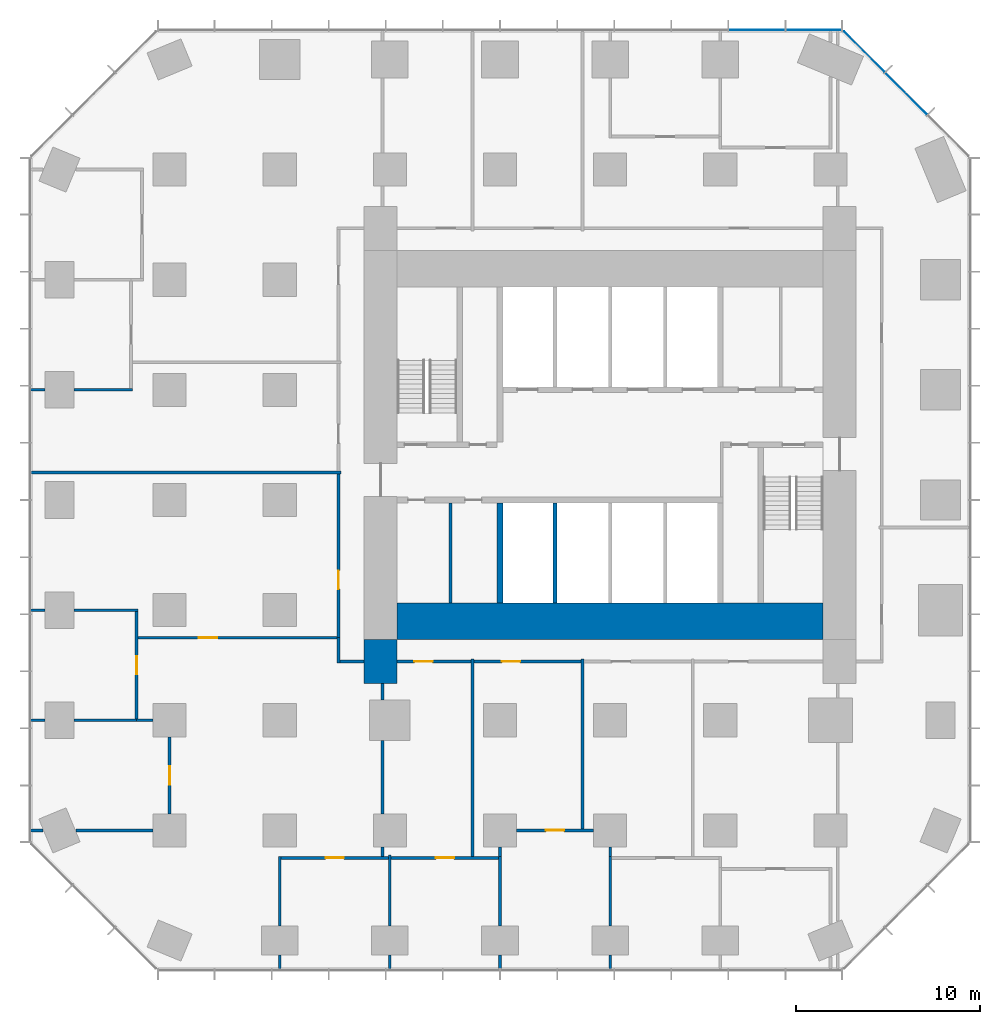
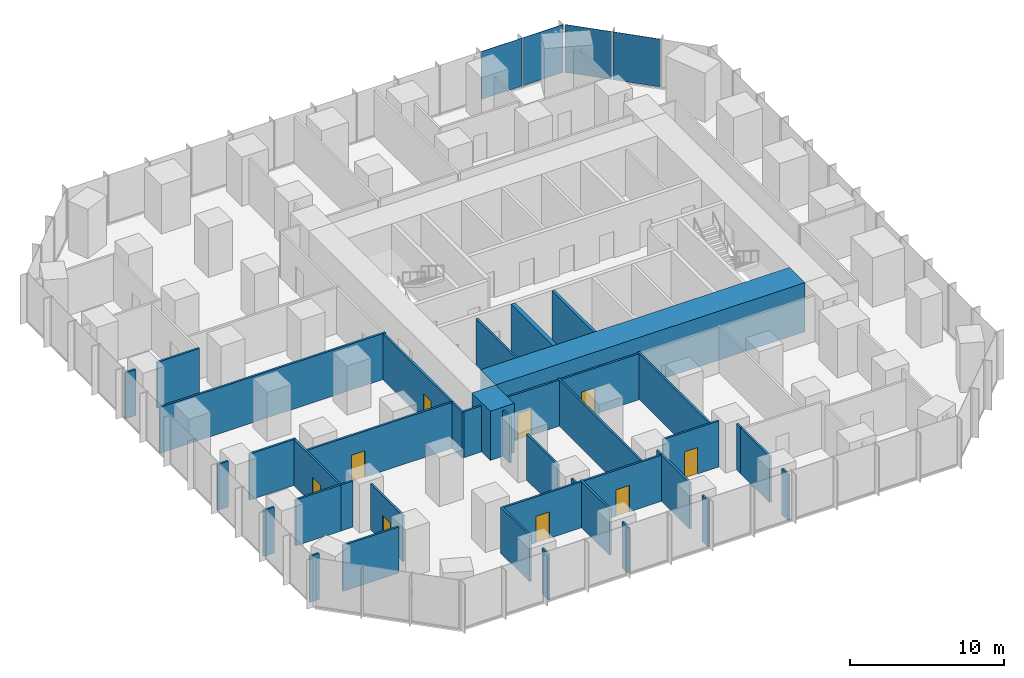
# One storey, part 8 of 12: 41 walls, 9 doors, 4 plates, 9 openings, 2 elements without a shape of their own.
"""IFC4 building model written with IfcOpenShell, lengths in metres."""

from ifc_helpers import new_model, si_unit, direction, frame, frame_2d, origin, origin_2d, place, context, subcontext, project, spatial, rectangle, extrude, material, layer, layer_set, type_object, element, fill, aggregate, save


model = new_model("IFC4")

# Units and contexts
model_context = context("Model", 3, precision=1e-05, world=origin(), true_north=direction((0.0, 1.0)))
body_context = subcontext(model_context, "Body", "Model", "MODEL_VIEW")
ifc_project = project(units=[si_unit("LENGTHUNIT", "METRE"), si_unit("AREAUNIT", "SQUARE_METRE"), si_unit("VOLUMEUNIT", "CUBIC_METRE"), si_unit("PLANEANGLEUNIT", "RADIAN"), si_unit("MASSUNIT", "GRAM", prefix="KILO")], contexts=[model_context])

# Site, building, storey
site_placement = place(None, origin())
site = spatial("IfcSite", under=ifc_project, at=site_placement, CompositionType="ELEMENT")
building_placement = place(site_placement, origin())
building = spatial("IfcBuilding", under=site, at=building_placement, Name="Highveld Stack Headquarters", CompositionType="ELEMENT")
storey_placement = place(building_placement, frame((0.0, 0.0, 26.0)))
storey = spatial("IfcBuildingStorey", under=building, at=storey_placement, Name="L05", CompositionType="ELEMENT", Elevation=26.0)

# Curtain wall, plates
ifc_material_1 = material(Name="Aluminium bronze anodised", Category="aluminium")
ifc_layer_1 = layer(ifc_material_1, 0.199951171875)
ifc_layer_set_1 = layer_set([ifc_layer_1], Name="Aluminium bronze anodised")
curtain_wall_type_1 = type_object("IfcCurtainWallType", Name="CW1 TOWER UNITISED CURTAIN WALL", PredefinedType="NOTDEFINED", material=ifc_layer_set_1)
curtain_wall_1_placement = place(storey_placement, origin())
curtain_wall_1 = element("IfcCurtainWall", 1, at=curtain_wall_1_placement, inside=storey, type_object=curtain_wall_type_1, Name="Curtain wall CW1 L05 N", PredefinedType="NOTDEFINED")
ifc_material_2 = material(Name="Glass bronze tinted double glazed unit", Category="glass")
ifc_layer_2 = layer(ifc_material_2, 0.028076171875)
ifc_layer_set_2 = layer_set([ifc_layer_2], Name="Glass bronze tinted double glazed unit")
plate_type_1 = type_object("IfcPlateType", Name="CW1 PANEL BRONZE TINTED DOUBLE GLAZED UNIT", PredefinedType="CURTAIN_PANEL", material=ifc_layer_set_2)
plate_1_placement = place(storey_placement, frame((17.09130859375, 25.60009765625, 0.10009765625), z_axis=(0.0, 0.0, 1.0), x_axis=(-1.0, 0.0, 0.0)))
plate_1 = element("IfcPlate", 2, at=plate_1_placement, type_object=plate_type_1, Name="CW1 panel L05 1.1", PredefinedType="CURTAIN_PANEL", context=body_context, shape_type="SweptSolid", body=[
    extrude(rectangle(XDim=3.012939453125, YDim=0.028076171875, at=origin_2d()), origin(), (0.0, 0.0, 1.0), 3.800048828125),
])
plate_2_placement = place(storey_placement, frame((13.9970703125, 25.60009765625, 0.10009765625), z_axis=(0.0, 0.0, 1.0), x_axis=(-1.0, 0.0, 0.0)))
plate_2 = element("IfcPlate", 3, at=plate_2_placement, type_object=plate_type_1, Name="CW1 panel L05 2.1", PredefinedType="CURTAIN_PANEL", context=body_context, shape_type="SweptSolid", body=[
    extrude(rectangle(XDim=3.04541015625, YDim=0.028076171875, at=origin_2d()), origin(), (0.0, 0.0, 1.0), 3.800048828125),
])
aggregate(curtain_wall_1, [plate_1, plate_2])

ifc_material_3 = material(Name="Aluminium bronze anodised", Category="aluminium")
ifc_layer_3 = layer(ifc_material_3, 0.199951171875)
ifc_layer_set_3 = layer_set([ifc_layer_3], Name="Aluminium bronze anodised")
curtain_wall_type_2 = type_object("IfcCurtainWallType", Name="CW2 TOWER CHAMFER UNITISED CURTAIN WALL", PredefinedType="NOTDEFINED", material=ifc_layer_set_3)
curtain_wall_2_placement = place(storey_placement, origin())
curtain_wall_2 = element("IfcCurtainWall", 4, at=curtain_wall_2_placement, inside=storey, type_object=curtain_wall_type_2, Name="Curtain wall CW2 L05 NE", PredefinedType="NOTDEFINED")
ifc_material_4 = material(Name="Glass bronze tinted double glazed unit", Category="glass")
ifc_layer_4 = layer(ifc_material_4, 0.028076171875)
ifc_layer_set_4 = layer_set([ifc_layer_4], Name="Glass bronze tinted double glazed unit")
plate_type_2 = type_object("IfcPlateType", Name="CW2 PANEL BRONZE TINTED DOUBLE GLAZED UNIT", PredefinedType="CURTAIN_PANEL", material=ifc_layer_set_4)
plate_3_placement = place(storey_placement, frame((22.13134765625, 22.13134765625, 0.10009765625), z_axis=(0.0, 0.0, 1.0), x_axis=(-0.707106781187, 0.707106781187, 0.0)))
plate_3 = element("IfcPlate", 5, at=plate_3_placement, type_object=plate_type_2, Name="CW2 panel L05 2.1", PredefinedType="CURTAIN_PANEL", context=body_context, shape_type="SweptSolid", body=[
    extrude(rectangle(XDim=3.205322265625, YDim=0.028076171875, at=origin_2d()), origin(), (0.0, 0.0, 1.0), 3.800048828125),
])
plate_4_placement = place(storey_placement, frame((19.8427734375, 24.419921875, 0.10009765625), z_axis=(0.0, 0.0, 1.0), x_axis=(-0.707106781187, 0.707106781187, 0.0)))
plate_4 = element("IfcPlate", 6, at=plate_4_placement, type_object=plate_type_2, Name="CW2 panel L05 3.1", PredefinedType="CURTAIN_PANEL", context=body_context, shape_type="SweptSolid", body=[
    extrude(rectangle(XDim=3.1376953125, YDim=0.028076171875, at=origin_2d()), origin(), (0.0, 0.0, 1.0), 3.800048828125),
])
aggregate(curtain_wall_2, [plate_3, plate_4])

# Walls
ifc_material_5 = material(Name="Concrete C60/75", Category="concrete")
ifc_layer_5 = layer(ifc_material_5, 2.0)
ifc_layer_set_5 = layer_set([ifc_layer_5], Name="Concrete C60/75")
wall_type_1 = type_object("IfcWallType", Name="CORE WALL 2000 C60/75", PredefinedType="SHEAR", material=ifc_layer_set_5)
wall_1_placement = place(storey_placement, frame((-5.60009765625, -6.60009765625, 0.0), z_axis=(0.0, 0.0, 1.0), x_axis=(1.0, 0.0, 0.0)))
element("IfcWall", 7, at=wall_1_placement, inside=storey, type_object=wall_type_1, Name="Core wall S L05", PredefinedType="SHEAR", context=body_context, shape_type="SweptSolid", body=[
    extrude(rectangle(XDim=23.2001953125, YDim=2.0, at=frame_2d((11.60009765625, 0.0))), origin(), (0.0, 0.0, 1.0), 3.89990234375),
])
ifc_material_6 = material(Name="Concrete C60/75", Category="concrete")
ifc_layer_6 = layer(ifc_material_6, 0.300048828125)
ifc_layer_set_6 = layer_set([ifc_layer_6], Name="Concrete C60/75")
wall_type_2 = type_object("IfcWallType", Name="CORE WALL 300 C60/75", PredefinedType="SHEAR", material=ifc_layer_set_6)
wall_2_placement = place(storey_placement, frame((0.0, -5.60009765625, 0.0), z_axis=(0.0, 0.0, 1.0), x_axis=(0.0, 1.0, 0.0)))
element("IfcWall", 8, at=wall_2_placement, inside=storey, type_object=wall_type_2, Name="Core wall I-X0S L05", PredefinedType="SHEAR", context=body_context, shape_type="SweptSolid", body=[
    extrude(rectangle(XDim=5.4501953125, YDim=0.300048828125, at=frame_2d((2.72509765625, 0.0))), origin(), (0.0, 0.0, 1.0), 3.89990234375),
])
ifc_material_7 = material(Name="Concrete C60/75", Category="concrete")
ifc_layer_7 = layer(ifc_material_7, 1.800048828125)
ifc_layer_set_7 = layer_set([ifc_layer_7], Name="Concrete C60/75")
wall_type_3 = type_object("IfcWallType", Name="CORE WING WALL 1800 C60/75", PredefinedType="SHEAR", material=ifc_layer_set_7)
wall_3_placement = place(storey_placement, frame((-6.5, -10.0, 0.0), z_axis=(0.0, 0.0, 1.0), x_axis=(0.0, 1.0, 0.0)))
element("IfcWall", 9, at=wall_3_placement, inside=storey, type_object=wall_type_3, Name="Core wing wall WS L05", PredefinedType="SHEAR", context=body_context, shape_type="SweptSolid", body=[
    extrude(rectangle(XDim=2.39990234375, YDim=1.800048828125, at=frame_2d((1.199951171875, 0.0))), origin(), (0.0, 0.0, 1.0), 3.89990234375),
])
ifc_material_8 = material(Name="Concrete blockwork, fair-faced", Category="masonry")
ifc_layer_8 = layer(ifc_material_8, 0.199951171875)
ifc_layer_set_8 = layer_set([ifc_layer_8], Name="Concrete blockwork, fair-faced")
wall_type_4 = type_object("IfcWallType", Name="LIFT SHAFT ENCLOSURE WALL 200 BLOCKWORK", PredefinedType="SOLIDWALL", material=ifc_layer_set_8)
wall_4_placement = place(storey_placement, frame((3.0, -5.60009765625, 0.0), z_axis=(0.0, 0.0, 1.0), x_axis=(0.0, 1.0, 0.0)))
element("IfcWall", 10, at=wall_4_placement, inside=storey, type_object=wall_type_4, Name="Lift shaft wall L05", PredefinedType="SOLIDWALL", context=body_context, shape_type="SweptSolid", body=[
    extrude(rectangle(XDim=5.4501953125, YDim=0.199951171875, at=frame_2d((2.72509765625, 0.0))), origin(), (0.0, 0.0, 1.0), 3.89990234375),
])

# Wall, opening, door
ifc_material_9 = material(Name="Gypsum plasterboard on steel studs", Category="steel")
ifc_layer_9 = layer(ifc_material_9, 0.14990234375)
ifc_layer_set_9 = layer_set([ifc_layer_9], Name="Gypsum plasterboard on steel studs")
wall_type_5 = type_object("IfcWallType", Name="PARTITION 150 PLASTERBOARD", PredefinedType="PARTITIONING", material=ifc_layer_set_9)
wall_5_placement = place(storey_placement, frame((-11.925048828125, -19.5, 0.0), z_axis=(0.0, 0.0, 1.0), x_axis=(1.0, 0.0, 0.0)))
wall_5 = element("IfcWall", 11, at=wall_5_placement, inside=storey, type_object=wall_type_5, Name="Partition Quiet room L05", PredefinedType="PARTITIONING", context=body_context, shape_type="SweptSolid", body=[
    extrude(rectangle(XDim=5.85009765625, YDim=0.14990234375, at=frame_2d((2.925048828125, 0.0))), origin(), (0.0, 0.0, 1.0), 3.64990234375),
])
opening_1_placement = place(wall_5_placement, frame((2.425048828125, 0.0, 0.0)))
opening_1 = element("IfcOpeningElement", 12, at=opening_1_placement, cuts=wall_5, Name="Opening L05-11", PredefinedType="OPENING", context=body_context, shape_type="SweptSolid", body=[
    extrude(rectangle(XDim=1.0, YDim=2.10009765625, at=frame_2d((0.5, 1.050048828125))), frame((0.0, 0.0849609375, 0.0), z_axis=(0.0, -1.0, 0.0), x_axis=(1.0, 0.0, 0.0)), (0.0, 0.0, 1.0), 0.169921875),
])
ifc_material_10 = material(Name="Timber door, oiled ash", Category="wood")
door_type = type_object("IfcDoorType", Name="ROOM DOOR D6 1000x2100", OperationType="SINGLE_SWING_LEFT", PredefinedType="DOOR", material=ifc_material_10)
door_1_placement = place(opening_1_placement, origin())
door_1 = element("IfcDoor", 13, at=door_1_placement, inside=storey, type_object=door_type, Name="Quiet room door 1 L05", OperationType="SINGLE_SWING_RIGHT", OverallHeight=2.10009765625, OverallWidth=1.0, PredefinedType="DOOR", context=body_context, shape_type="SweptSolid", body=[
    extrude(rectangle(XDim=1.0, YDim=2.10009765625, at=frame_2d((0.5, 1.050048828125))), frame((0.0, 0.02490234375, 0.0), z_axis=(0.0, -1.0, 0.0), x_axis=(1.0, 0.0, 0.0)), (0.0, 0.0, 1.0), 0.050048828125),
])
fill(opening_1, door_1)

wall_6_placement = place(storey_placement, frame((-5.925048828125, -19.5, 0.0), z_axis=(0.0, 0.0, 1.0), x_axis=(1.0, 0.0, 0.0)))
wall_6 = element("IfcWall", 14, at=wall_6_placement, inside=storey, type_object=wall_type_5, Name="Partition Quiet room L05", PredefinedType="PARTITIONING", context=body_context, shape_type="SweptSolid", body=[
    extrude(rectangle(XDim=5.85009765625, YDim=0.14990234375, at=frame_2d((2.925048828125, 0.0))), origin(), (0.0, 0.0, 1.0), 3.64990234375),
])
opening_2_placement = place(wall_6_placement, frame((2.425048828125, 0.0, 0.0)))
opening_2 = element("IfcOpeningElement", 15, at=opening_2_placement, cuts=wall_6, Name="Opening L05-12", PredefinedType="OPENING", context=body_context, shape_type="SweptSolid", body=[
    extrude(rectangle(XDim=1.0, YDim=2.10009765625, at=frame_2d((0.5, 1.050048828125))), frame((0.0, 0.0849609375, 0.0), z_axis=(0.0, -1.0, 0.0), x_axis=(1.0, 0.0, 0.0)), (0.0, 0.0, 1.0), 0.169921875),
])
door_2_placement = place(opening_2_placement, origin())
door_2 = element("IfcDoor", 16, at=door_2_placement, inside=storey, type_object=door_type, Name="Quiet room door 1 L05", OperationType="SINGLE_SWING_RIGHT", OverallHeight=2.10009765625, OverallWidth=1.0, PredefinedType="DOOR", context=body_context, shape_type="SweptSolid", body=[
    extrude(rectangle(XDim=1.0, YDim=2.10009765625, at=frame_2d((0.5, 1.050048828125))), frame((0.0, 0.02490234375, 0.0), z_axis=(0.0, -1.0, 0.0), x_axis=(1.0, 0.0, 0.0)), (0.0, 0.0, 1.0), 0.050048828125),
])
fill(opening_2, door_2)

# Walls
wall_7_placement = place(storey_placement, frame((-25.60009765625, -18.0, 0.0), z_axis=(0.0, 0.0, 1.0), x_axis=(1.0, 0.0, 0.0)))
element("IfcWall", 17, at=wall_7_placement, inside=storey, type_object=wall_type_5, Name="Partition Office L05", PredefinedType="PARTITIONING", context=body_context, shape_type="SweptSolid", body=[
    extrude(rectangle(XDim=0.703125, YDim=0.14990234375, at=frame_2d((0.3515625, 0.0))), origin(), (0.0, 0.0, 1.0), 3.64990234375),
])
wall_8_placement = place(storey_placement, frame((-23.10302734375, -18.0, 0.0), z_axis=(0.0, 0.0, 1.0), x_axis=(1.0, 0.0, 0.0)))
element("IfcWall", 18, at=wall_8_placement, inside=storey, type_object=wall_type_5, Name="Partition Office L05", PredefinedType="PARTITIONING", context=body_context, shape_type="SweptSolid", body=[
    extrude(rectangle(XDim=4.203125, YDim=0.14990234375, at=frame_2d((2.1015625, 0.0))), origin(), (0.0, 0.0, 1.0), 3.64990234375),
])

# Wall, opening, door
wall_9_placement = place(storey_placement, frame((0.89990234375, -18.0, 0.0), z_axis=(0.0, 0.0, 1.0), x_axis=(1.0, 0.0, 0.0)))
wall_9 = element("IfcWall", 19, at=wall_9_placement, inside=storey, type_object=wall_type_5, Name="Partition Office L05", PredefinedType="PARTITIONING", context=body_context, shape_type="SweptSolid", body=[
    extrude(rectangle(XDim=4.2001953125, YDim=0.14990234375, at=frame_2d((2.10009765625, 0.0))), origin(), (0.0, 0.0, 1.0), 3.64990234375),
])
opening_3_placement = place(wall_9_placement, frame((1.60009765625, 0.0, 0.0)))
opening_3 = element("IfcOpeningElement", 20, at=opening_3_placement, cuts=wall_9, Name="Opening L05-13", PredefinedType="OPENING", context=body_context, shape_type="SweptSolid", body=[
    extrude(rectangle(XDim=1.0, YDim=2.10009765625, at=frame_2d((0.5, 1.050048828125))), frame((0.0, 0.0849609375, 0.0), z_axis=(0.0, -1.0, 0.0), x_axis=(1.0, 0.0, 0.0)), (0.0, 0.0, 1.0), 0.169921875),
])
door_3_placement = place(opening_3_placement, origin())
door_3 = element("IfcDoor", 21, at=door_3_placement, inside=storey, type_object=door_type, Name="Office door 1 L05", OperationType="SINGLE_SWING_RIGHT", OverallHeight=2.10009765625, OverallWidth=1.0, PredefinedType="DOOR", context=body_context, shape_type="SweptSolid", body=[
    extrude(rectangle(XDim=1.0, YDim=2.10009765625, at=frame_2d((0.5, 1.050048828125))), frame((0.0, 0.02490234375, 0.0), z_axis=(0.0, -1.0, 0.0), x_axis=(1.0, 0.0, 0.0)), (0.0, 0.0, 1.0), 0.050048828125),
])
fill(opening_3, door_3)

# Walls
wall_10_placement = place(storey_placement, frame((-25.60009765625, -12.0, 0.0), z_axis=(0.0, 0.0, 1.0), x_axis=(1.0, 0.0, 0.0)))
element("IfcWall", 22, at=wall_10_placement, inside=storey, type_object=wall_type_5, Name="Partition Office / Print room L05", PredefinedType="PARTITIONING", context=body_context, shape_type="SweptSolid", body=[
    extrude(rectangle(XDim=0.800048828125, YDim=0.14990234375, at=frame_2d((0.39990234375, 0.0))), origin(), (0.0, 0.0, 1.0), 3.64990234375),
])
wall_11_placement = place(storey_placement, frame((-23.199951171875, -12.0, 0.0), z_axis=(0.0, 0.0, 1.0), x_axis=(1.0, 0.0, 0.0)))
element("IfcWall", 23, at=wall_11_placement, inside=storey, type_object=wall_type_5, Name="Partition Office / Print room L05", PredefinedType="PARTITIONING", context=body_context, shape_type="SweptSolid", body=[
    extrude(rectangle(XDim=3.474853515625, YDim=0.14990234375, at=frame_2d((1.7373046875, 0.0))), origin(), (0.0, 0.0, 1.0), 3.64990234375),
])
wall_12_placement = place(storey_placement, frame((-19.800048828125, -12.0, 0.0), z_axis=(0.0, 0.0, 1.0), x_axis=(1.0, 0.0, 0.0)))
element("IfcWall", 24, at=wall_12_placement, inside=storey, type_object=wall_type_5, Name="Partition Office L05", PredefinedType="PARTITIONING", context=body_context, shape_type="SweptSolid", body=[
    extrude(rectangle(XDim=0.900146484375, YDim=0.14990234375, at=frame_2d((0.4501953125, 0.0))), origin(), (0.0, 0.0, 1.0), 3.64990234375),
])
wall_13_placement = place(storey_placement, frame((-25.60009765625, -6.0, 0.0), z_axis=(0.0, 0.0, 1.0), x_axis=(1.0, 0.0, 0.0)))
element("IfcWall", 25, at=wall_13_placement, inside=storey, type_object=wall_type_5, Name="Partition Print room L05", PredefinedType="PARTITIONING", context=body_context, shape_type="SweptSolid", body=[
    extrude(rectangle(XDim=0.800048828125, YDim=0.14990234375, at=frame_2d((0.39990234375, 0.0))), origin(), (0.0, 0.0, 1.0), 3.64990234375),
])
wall_14_placement = place(storey_placement, frame((-23.199951171875, -6.0, 0.0), z_axis=(0.0, 0.0, 1.0), x_axis=(1.0, 0.0, 0.0)))
element("IfcWall", 26, at=wall_14_placement, inside=storey, type_object=wall_type_5, Name="Partition Print room L05", PredefinedType="PARTITIONING", context=body_context, shape_type="SweptSolid", body=[
    extrude(rectangle(XDim=3.474853515625, YDim=0.14990234375, at=frame_2d((1.7373046875, 0.0))), origin(), (0.0, 0.0, 1.0), 3.64990234375),
])
wall_15_placement = place(storey_placement, frame((-25.60009765625, 6.0, 0.0), z_axis=(0.0, 0.0, 1.0), x_axis=(1.0, 0.0, 0.0)))
element("IfcWall", 27, at=wall_15_placement, inside=storey, type_object=wall_type_5, Name="Partition Focus room L05", PredefinedType="PARTITIONING", context=body_context, shape_type="SweptSolid", body=[
    extrude(rectangle(XDim=0.800048828125, YDim=0.14990234375, at=frame_2d((0.39990234375, 0.0))), origin(), (0.0, 0.0, 1.0), 3.64990234375),
])
wall_16_placement = place(storey_placement, frame((-23.199951171875, 6.0, 0.0), z_axis=(0.0, 0.0, 1.0), x_axis=(1.0, 0.0, 0.0)))
element("IfcWall", 28, at=wall_16_placement, inside=storey, type_object=wall_type_5, Name="Partition Focus room L05", PredefinedType="PARTITIONING", context=body_context, shape_type="SweptSolid", body=[
    extrude(rectangle(XDim=3.175048828125, YDim=0.14990234375, at=frame_2d((1.58740234375, 0.0))), origin(), (0.0, 0.0, 1.0), 3.64990234375),
])

# Wall, opening, door
wall_17_placement = place(storey_placement, frame((-19.800048828125, -11.925048828125, 0.0), z_axis=(0.0, 0.0, 1.0), x_axis=(0.0, 1.0, 0.0)))
wall_17 = element("IfcWall", 29, at=wall_17_placement, inside=storey, type_object=wall_type_5, Name="Partition Print room L05", PredefinedType="PARTITIONING", context=body_context, shape_type="SweptSolid", body=[
    extrude(rectangle(XDim=5.85009765625, YDim=0.14990234375, at=frame_2d((2.925048828125, 0.0))), origin(), (0.0, 0.0, 1.0), 3.64990234375),
])
opening_4_placement = place(wall_17_placement, frame((2.425048828125, 0.0, 0.0)))
opening_4 = element("IfcOpeningElement", 30, at=opening_4_placement, cuts=wall_17, Name="Opening L05-17", PredefinedType="OPENING", context=body_context, shape_type="SweptSolid", body=[
    extrude(rectangle(XDim=1.0, YDim=2.10009765625, at=frame_2d((0.5, 1.050048828125))), frame((0.0, 0.0849609375, 0.0), z_axis=(0.0, -1.0, 0.0), x_axis=(1.0, 0.0, 0.0)), (0.0, 0.0, 1.0), 0.169921875),
])
door_4_placement = place(opening_4_placement, origin())
door_4 = element("IfcDoor", 31, at=door_4_placement, inside=storey, type_object=door_type, Name="Print room door 1 L05", OperationType="SINGLE_SWING_LEFT", OverallHeight=2.10009765625, OverallWidth=1.0, PredefinedType="DOOR", context=body_context, shape_type="SweptSolid", body=[
    extrude(rectangle(XDim=1.0, YDim=2.10009765625, at=frame_2d((0.5, 1.050048828125))), frame((0.0, 0.02490234375, 0.0), z_axis=(0.0, -1.0, 0.0), x_axis=(1.0, 0.0, 0.0)), (0.0, 0.0, 1.0), 0.050048828125),
])
fill(opening_4, door_4)

wall_18_placement = place(storey_placement, frame((-18.0, -17.10009765625, 0.0), z_axis=(0.0, 0.0, 1.0), x_axis=(0.0, 1.0, 0.0)))
wall_18 = element("IfcWall", 32, at=wall_18_placement, inside=storey, type_object=wall_type_5, Name="Partition Office L05", PredefinedType="PARTITIONING", context=body_context, shape_type="SweptSolid", body=[
    extrude(rectangle(XDim=4.2001953125, YDim=0.14990234375, at=frame_2d((2.10009765625, 0.0))), origin(), (0.0, 0.0, 1.0), 3.64990234375),
])
opening_5_placement = place(wall_18_placement, frame((1.60009765625, 0.0, 0.0)))
opening_5 = element("IfcOpeningElement", 33, at=opening_5_placement, cuts=wall_18, Name="Opening L05-16", PredefinedType="OPENING", context=body_context, shape_type="SweptSolid", body=[
    extrude(rectangle(XDim=1.0, YDim=2.10009765625, at=frame_2d((0.5, 1.050048828125))), frame((0.0, 0.0849609375, 0.0), z_axis=(0.0, -1.0, 0.0), x_axis=(1.0, 0.0, 0.0)), (0.0, 0.0, 1.0), 0.169921875),
])
door_5_placement = place(opening_5_placement, origin())
door_5 = element("IfcDoor", 34, at=door_5_placement, inside=storey, type_object=door_type, Name="Office door 1 L05", OperationType="SINGLE_SWING_RIGHT", OverallHeight=2.10009765625, OverallWidth=1.0, PredefinedType="DOOR", context=body_context, shape_type="SweptSolid", body=[
    extrude(rectangle(XDim=1.0, YDim=2.10009765625, at=frame_2d((0.5, 1.050048828125))), frame((0.0, 0.02490234375, 0.0), z_axis=(0.0, -1.0, 0.0), x_axis=(1.0, 0.0, 0.0)), (0.0, 0.0, 1.0), 0.050048828125),
])
fill(opening_5, door_5)

# Walls
wall_19_placement = place(storey_placement, frame((-12.0, -25.60009765625, 0.0), z_axis=(0.0, 0.0, 1.0), x_axis=(0.0, 1.0, 0.0)))
element("IfcWall", 35, at=wall_19_placement, inside=storey, type_object=wall_type_5, Name="Partition Quiet room L05", PredefinedType="PARTITIONING", context=body_context, shape_type="SweptSolid", body=[
    extrude(rectangle(XDim=0.800048828125, YDim=0.14990234375, at=frame_2d((0.39990234375, 0.0))), origin(), (0.0, 0.0, 1.0), 3.64990234375),
])
wall_20_placement = place(storey_placement, frame((-12.0, -23.199951171875, 0.0), z_axis=(0.0, 0.0, 1.0), x_axis=(0.0, 1.0, 0.0)))
element("IfcWall", 36, at=wall_20_placement, inside=storey, type_object=wall_type_5, Name="Partition Quiet room L05", PredefinedType="PARTITIONING", context=body_context, shape_type="SweptSolid", body=[
    extrude(rectangle(XDim=3.77490234375, YDim=0.14990234375, at=frame_2d((1.887451171875, 0.0))), origin(), (0.0, 0.0, 1.0), 3.64990234375),
])
wall_21_placement = place(storey_placement, frame((-6.0, -25.60009765625, 0.0), z_axis=(0.0, 0.0, 1.0), x_axis=(0.0, 1.0, 0.0)))
element("IfcWall", 37, at=wall_21_placement, inside=storey, type_object=wall_type_5, Name="Partition Quiet room L05", PredefinedType="PARTITIONING", context=body_context, shape_type="SweptSolid", body=[
    extrude(rectangle(XDim=0.800048828125, YDim=0.14990234375, at=frame_2d((0.39990234375, 0.0))), origin(), (0.0, 0.0, 1.0), 3.64990234375),
])
wall_22_placement = place(storey_placement, frame((-6.0, -23.199951171875, 0.0), z_axis=(0.0, 0.0, 1.0), x_axis=(0.0, 1.0, 0.0)))
element("IfcWall", 38, at=wall_22_placement, inside=storey, type_object=wall_type_5, Name="Partition Quiet room L05", PredefinedType="PARTITIONING", context=body_context, shape_type="SweptSolid", body=[
    extrude(rectangle(XDim=3.849853515625, YDim=0.14990234375, at=frame_2d((1.9248046875, 0.0))), origin(), (0.0, 0.0, 1.0), 3.64990234375),
])
wall_23_placement = place(storey_placement, frame((0.0, -25.550048828125, 0.0), z_axis=(0.0, 0.0, 1.0), x_axis=(0.0, 1.0, 0.0)))
element("IfcWall", 39, at=wall_23_placement, inside=storey, type_object=wall_type_5, Name="Partition Office / Quiet room L05", PredefinedType="PARTITIONING", context=body_context, shape_type="SweptSolid", body=[
    extrude(rectangle(XDim=0.75, YDim=0.14990234375, at=frame_2d((0.375, 0.0))), origin(), (0.0, 0.0, 1.0), 3.64990234375),
])
wall_24_placement = place(storey_placement, frame((0.0, -23.199951171875, 0.0), z_axis=(0.0, 0.0, 1.0), x_axis=(0.0, 1.0, 0.0)))
element("IfcWall", 40, at=wall_24_placement, inside=storey, type_object=wall_type_5, Name="Partition Office / Quiet room L05", PredefinedType="PARTITIONING", context=body_context, shape_type="SweptSolid", body=[
    extrude(rectangle(XDim=3.77490234375, YDim=0.14990234375, at=frame_2d((1.887451171875, 0.0))), origin(), (0.0, 0.0, 1.0), 3.64990234375),
])
wall_25_placement = place(storey_placement, frame((0.0, -19.425048828125, 0.0), z_axis=(0.0, 0.0, 1.0), x_axis=(0.0, 1.0, 0.0)))
element("IfcWall", 41, at=wall_25_placement, inside=storey, type_object=wall_type_5, Name="Partition Office L05", PredefinedType="PARTITIONING", context=body_context, shape_type="SweptSolid", body=[
    extrude(rectangle(XDim=0.525146484375, YDim=0.14990234375, at=frame_2d((0.2626953125, 0.0))), origin(), (0.0, 0.0, 1.0), 3.64990234375),
])
wall_26_placement = place(storey_placement, frame((6.0, -25.60009765625, 0.0), z_axis=(0.0, 0.0, 1.0), x_axis=(0.0, 1.0, 0.0)))
element("IfcWall", 42, at=wall_26_placement, inside=storey, type_object=wall_type_5, Name="Partition Office / Quiet room L05", PredefinedType="PARTITIONING", context=body_context, shape_type="SweptSolid", body=[
    extrude(rectangle(XDim=0.800048828125, YDim=0.14990234375, at=frame_2d((0.39990234375, 0.0))), origin(), (0.0, 0.0, 1.0), 3.64990234375),
])
wall_27_placement = place(storey_placement, frame((6.0, -23.199951171875, 0.0), z_axis=(0.0, 0.0, 1.0), x_axis=(0.0, 1.0, 0.0)))
element("IfcWall", 43, at=wall_27_placement, inside=storey, type_object=wall_type_5, Name="Partition Office / Quiet room L05", PredefinedType="PARTITIONING", context=body_context, shape_type="SweptSolid", body=[
    extrude(rectangle(XDim=3.77490234375, YDim=0.14990234375, at=frame_2d((1.887451171875, 0.0))), origin(), (0.0, 0.0, 1.0), 3.64990234375),
])
wall_28_placement = place(storey_placement, frame((6.0, -19.425048828125, 0.0), z_axis=(0.0, 0.0, 1.0), x_axis=(0.0, 1.0, 0.0)))
element("IfcWall", 44, at=wall_28_placement, inside=storey, type_object=wall_type_5, Name="Partition Office L05", PredefinedType="PARTITIONING", context=body_context, shape_type="SweptSolid", body=[
    extrude(rectangle(XDim=0.525146484375, YDim=0.14990234375, at=frame_2d((0.2626953125, 0.0))), origin(), (0.0, 0.0, 1.0), 3.64990234375),
])
wall_29_placement = place(storey_placement, frame((-25.60009765625, 1.5, 0.0), z_axis=(0.0, 0.0, 1.0), x_axis=(1.0, 0.0, 0.0)))
element("IfcWall", 45, at=wall_29_placement, inside=storey, type_object=wall_type_5, Name="Partition office neighbourhood L05", PredefinedType="PARTITIONING", context=body_context, shape_type="SweptSolid", body=[
    extrude(rectangle(XDim=16.9501953125, YDim=0.14990234375, at=frame_2d((8.47509765625, 0.0))), origin(), (0.0, 0.0, 1.0), 3.64990234375),
])

# Wall, opening, door
wall_30_placement = place(storey_placement, frame((-19.72509765625, -7.5, 0.0), z_axis=(0.0, 0.0, 1.0), x_axis=(1.0, 0.0, 0.0)))
wall_30 = element("IfcWall", 46, at=wall_30_placement, inside=storey, type_object=wall_type_5, Name="Partition office neighbourhood L05", PredefinedType="PARTITIONING", context=body_context, shape_type="SweptSolid", body=[
    extrude(rectangle(XDim=10.85009765625, YDim=0.14990234375, at=frame_2d((5.425048828125, 0.0))), origin(), (0.0, 0.0, 1.0), 3.64990234375),
])
opening_6_placement = place(wall_30_placement, frame((3.323974609375, 0.0, 0.0)))
opening_6 = element("IfcOpeningElement", 47, at=opening_6_placement, cuts=wall_30, Name="Opening L05-22", PredefinedType="OPENING", context=body_context, shape_type="SweptSolid", body=[
    extrude(rectangle(XDim=1.0, YDim=2.10009765625, at=frame_2d((0.5, 1.050048828125))), frame((0.0, 0.0849609375, 0.0), z_axis=(0.0, -1.0, 0.0), x_axis=(1.0, 0.0, 0.0)), (0.0, 0.0, 1.0), 0.169921875),
])
door_6_placement = place(opening_6_placement, origin())
door_6 = element("IfcDoor", 48, at=door_6_placement, inside=storey, type_object=door_type, Name="Office neighbourhood door L05", OperationType="SINGLE_SWING_LEFT", OverallHeight=2.10009765625, OverallWidth=1.0, PredefinedType="DOOR", context=body_context, shape_type="SweptSolid", body=[
    extrude(rectangle(XDim=1.0, YDim=2.10009765625, at=frame_2d((0.5, 1.050048828125))), frame((0.0, 0.02490234375, 0.0), z_axis=(0.0, -1.0, 0.0), x_axis=(1.0, 0.0, 0.0)), (0.0, 0.0, 1.0), 0.050048828125),
])
fill(opening_6, door_6)

# Walls
wall_31_placement = place(storey_placement, frame((-8.800048828125, -8.875, 0.0), z_axis=(0.0, 0.0, 1.0), x_axis=(0.0, 1.0, 0.0)))
element("IfcWall", 49, at=wall_31_placement, inside=storey, type_object=wall_type_5, Name="Partition office neighbourhood L05", PredefinedType="PARTITIONING", context=body_context, shape_type="SweptSolid", body=[
    extrude(rectangle(XDim=1.375, YDim=0.14990234375, at=frame_2d((0.6875, 0.0))), origin(), (0.0, 0.0, 1.0), 3.64990234375),
])
wall_32_placement = place(storey_placement, frame((-8.72509765625, -8.800048828125, 0.0), z_axis=(0.0, 0.0, 1.0), x_axis=(1.0, 0.0, 0.0)))
element("IfcWall", 50, at=wall_32_placement, inside=storey, type_object=wall_type_5, Name="Partition office neighbourhood L05", PredefinedType="PARTITIONING", context=body_context, shape_type="SweptSolid", body=[
    extrude(rectangle(XDim=1.3251953125, YDim=0.14990234375, at=frame_2d((0.66259765625, 0.0))), origin(), (0.0, 0.0, 1.0), 3.64990234375),
])

# Wall, opening, door
wall_33_placement = place(storey_placement, frame((-8.800048828125, -7.5, 0.0), z_axis=(0.0, 0.0, 1.0), x_axis=(0.0, 1.0, 0.0)))
wall_33 = element("IfcWall", 51, at=wall_33_placement, inside=storey, type_object=wall_type_5, Name="Partition office neighbourhood L05", PredefinedType="PARTITIONING", context=body_context, shape_type="SweptSolid", body=[
    extrude(rectangle(XDim=8.925048828125, YDim=0.14990234375, at=frame_2d((4.46240234375, 0.0))), origin(), (0.0, 0.0, 1.0), 3.64990234375),
])
opening_7_placement = place(wall_33_placement, frame((2.64990234375, 0.0, 0.0)))
opening_7 = element("IfcOpeningElement", 52, at=opening_7_placement, cuts=wall_33, Name="Opening L05-28", PredefinedType="OPENING", context=body_context, shape_type="SweptSolid", body=[
    extrude(rectangle(XDim=1.0, YDim=2.10009765625, at=frame_2d((0.5, 1.050048828125))), frame((0.0, 0.0849609375, 0.0), z_axis=(0.0, -1.0, 0.0), x_axis=(1.0, 0.0, 0.0)), (0.0, 0.0, 1.0), 0.169921875),
])
door_7_placement = place(opening_7_placement, origin())
door_7 = element("IfcDoor", 53, at=door_7_placement, inside=storey, type_object=door_type, Name="Office neighbourhood door L05", OperationType="SINGLE_SWING_LEFT", OverallHeight=2.10009765625, OverallWidth=1.0, PredefinedType="DOOR", context=body_context, shape_type="SweptSolid", body=[
    extrude(rectangle(XDim=1.0, YDim=2.10009765625, at=frame_2d((0.5, 1.050048828125))), frame((0.0, 0.02490234375, 0.0), z_axis=(0.0, -1.0, 0.0), x_axis=(1.0, 0.0, 0.0)), (0.0, 0.0, 1.0), 0.050048828125),
])
fill(opening_7, door_7)

# Walls
wall_34_placement = place(storey_placement, frame((-6.39990234375, -19.425048828125, 0.0), z_axis=(0.0, 0.0, 1.0), x_axis=(0.0, 1.0, 0.0)))
element("IfcWall", 54, at=wall_34_placement, inside=storey, type_object=wall_type_5, Name="Partition office neighbourhood L05", PredefinedType="PARTITIONING", context=body_context, shape_type="SweptSolid", body=[
    extrude(rectangle(XDim=0.525146484375, YDim=0.14990234375, at=frame_2d((0.2626953125, 0.0))), origin(), (0.0, 0.0, 1.0), 3.64990234375),
])
wall_35_placement = place(storey_placement, frame((-6.39990234375, -17.10009765625, 0.0), z_axis=(0.0, 0.0, 1.0), x_axis=(0.0, 1.0, 0.0)))
element("IfcWall", 55, at=wall_35_placement, inside=storey, type_object=wall_type_5, Name="Partition office neighbourhood L05", PredefinedType="PARTITIONING", context=body_context, shape_type="SweptSolid", body=[
    extrude(rectangle(XDim=4.0, YDim=0.14990234375, at=frame_2d((2.0, 0.0))), origin(), (0.0, 0.0, 1.0), 3.64990234375),
])
wall_36_placement = place(storey_placement, frame((-6.39990234375, -10.89990234375, 0.0), z_axis=(0.0, 0.0, 1.0), x_axis=(0.0, 1.0, 0.0)))
element("IfcWall", 56, at=wall_36_placement, inside=storey, type_object=wall_type_5, Name="Partition office neighbourhood L05", PredefinedType="PARTITIONING", context=body_context, shape_type="SweptSolid", body=[
    extrude(rectangle(XDim=0.89990234375, YDim=0.14990234375, at=frame_2d((0.449951171875, 0.0))), origin(), (0.0, 0.0, 1.0), 3.64990234375),
])

# Wall, opening, door
wall_37_placement = place(storey_placement, frame((-5.60009765625, -8.800048828125, 0.0), z_axis=(0.0, 0.0, 1.0), x_axis=(1.0, 0.0, 0.0)))
wall_37 = element("IfcWall", 57, at=wall_37_placement, inside=storey, type_object=wall_type_5, Name="Partition office neighbourhood L05", PredefinedType="PARTITIONING", context=body_context, shape_type="SweptSolid", body=[
    extrude(rectangle(XDim=4.025146484375, YDim=0.14990234375, at=frame_2d((2.0126953125, 0.0))), origin(), (0.0, 0.0, 1.0), 3.64990234375),
])
opening_8_placement = place(wall_37_placement, frame((0.93505859375, 0.0, 0.0)))
opening_8 = element("IfcOpeningElement", 58, at=opening_8_placement, cuts=wall_37, Name="Opening L05-24", PredefinedType="OPENING", context=body_context, shape_type="SweptSolid", body=[
    extrude(rectangle(XDim=1.0, YDim=2.10009765625, at=frame_2d((0.5, 1.050048828125))), frame((0.0, 0.0849609375, 0.0), z_axis=(0.0, -1.0, 0.0), x_axis=(1.0, 0.0, 0.0)), (0.0, 0.0, 1.0), 0.169921875),
])
door_8_placement = place(opening_8_placement, origin())
door_8 = element("IfcDoor", 59, at=door_8_placement, inside=storey, type_object=door_type, Name="Office neighbourhood door L05", OperationType="SINGLE_SWING_LEFT", OverallHeight=2.10009765625, OverallWidth=1.0, PredefinedType="DOOR", context=body_context, shape_type="SweptSolid", body=[
    extrude(rectangle(XDim=1.0, YDim=2.10009765625, at=frame_2d((0.5, 1.050048828125))), frame((0.0, 0.02490234375, 0.0), z_axis=(0.0, -1.0, 0.0), x_axis=(1.0, 0.0, 0.0)), (0.0, 0.0, 1.0), 0.050048828125),
])
fill(opening_8, door_8)

# Wall
wall_38_placement = place(storey_placement, frame((-1.5, -19.425048828125, 0.0), z_axis=(0.0, 0.0, 1.0), x_axis=(0.0, 1.0, 0.0)))
element("IfcWall", 60, at=wall_38_placement, inside=storey, type_object=wall_type_5, Name="Partition office neighbourhood L05", PredefinedType="PARTITIONING", context=body_context, shape_type="SweptSolid", body=[
    extrude(rectangle(XDim=10.775146484375, YDim=0.14990234375, at=frame_2d((5.3876953125, 0.0))), origin(), (0.0, 0.0, 1.0), 3.64990234375),
])

# Wall, opening, door
wall_39_placement = place(storey_placement, frame((-1.425048828125, -8.800048828125, 0.0), z_axis=(0.0, 0.0, 1.0), x_axis=(1.0, 0.0, 0.0)))
wall_39 = element("IfcWall", 61, at=wall_39_placement, inside=storey, type_object=wall_type_5, Name="Partition office neighbourhood L05", PredefinedType="PARTITIONING", context=body_context, shape_type="SweptSolid", body=[
    extrude(rectangle(XDim=5.85009765625, YDim=0.14990234375, at=frame_2d((2.925048828125, 0.0))), origin(), (0.0, 0.0, 1.0), 3.64990234375),
])
opening_9_placement = place(wall_39_placement, frame((1.52490234375, 0.0, 0.0)))
opening_9 = element("IfcOpeningElement", 62, at=opening_9_placement, cuts=wall_39, Name="Opening L05-26", PredefinedType="OPENING", context=body_context, shape_type="SweptSolid", body=[
    extrude(rectangle(XDim=1.0, YDim=2.10009765625, at=frame_2d((0.5, 1.050048828125))), frame((0.0, 0.0849609375, 0.0), z_axis=(0.0, -1.0, 0.0), x_axis=(1.0, 0.0, 0.0)), (0.0, 0.0, 1.0), 0.169921875),
])
door_9_placement = place(opening_9_placement, origin())
door_9 = element("IfcDoor", 63, at=door_9_placement, inside=storey, type_object=door_type, Name="Office neighbourhood door L05", OperationType="SINGLE_SWING_LEFT", OverallHeight=2.10009765625, OverallWidth=1.0, PredefinedType="DOOR", context=body_context, shape_type="SweptSolid", body=[
    extrude(rectangle(XDim=1.0, YDim=2.10009765625, at=frame_2d((0.5, 1.050048828125))), frame((0.0, 0.02490234375, 0.0), z_axis=(0.0, -1.0, 0.0), x_axis=(1.0, 0.0, 0.0)), (0.0, 0.0, 1.0), 0.050048828125),
])
fill(opening_9, door_9)

# Walls
wall_40_placement = place(storey_placement, frame((4.5, -17.925048828125, 0.0), z_axis=(0.0, 0.0, 1.0), x_axis=(0.0, 1.0, 0.0)))
element("IfcWall", 64, at=wall_40_placement, inside=storey, type_object=wall_type_5, Name="Partition office neighbourhood L05", PredefinedType="PARTITIONING", context=body_context, shape_type="SweptSolid", body=[
    extrude(rectangle(XDim=9.275146484375, YDim=0.14990234375, at=frame_2d((4.6376953125, 0.0))), origin(), (0.0, 0.0, 1.0), 3.64990234375),
])
ifc_material_11 = material(Name="Concrete blockwork, tiled", Category="masonry")
ifc_layer_10 = layer(ifc_material_11, 0.14990234375)
ifc_layer_set_10 = layer_set([ifc_layer_10], Name="Concrete blockwork, tiled")
wall_type_6 = type_object("IfcWallType", Name="WC PARTITION 150", PredefinedType="PLUMBINGWALL", material=ifc_layer_set_10)
wall_41_placement = place(storey_placement, frame((-2.699951171875, -5.60009765625, 0.0), z_axis=(0.0, 0.0, 1.0), x_axis=(0.0, 1.0, 0.0)))
element("IfcWall", 65, at=wall_41_placement, inside=storey, type_object=wall_type_6, Name="Toilet partition L05", PredefinedType="PLUMBINGWALL", context=body_context, shape_type="SweptSolid", body=[
    extrude(rectangle(XDim=5.4501953125, YDim=0.14990234375, at=frame_2d((2.72509765625, 0.0))), origin(), (0.0, 0.0, 1.0), 3.64990234375),
])

save(model, "model.ifc")
